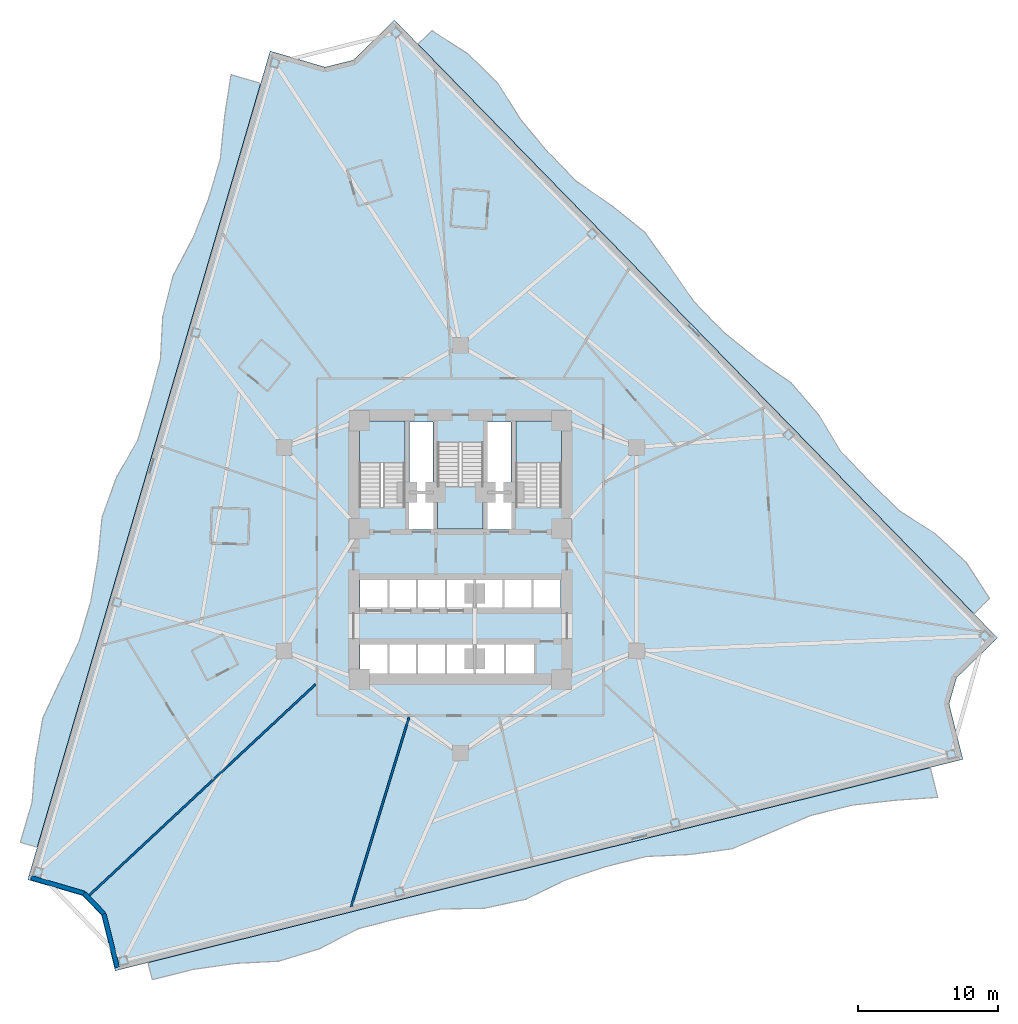
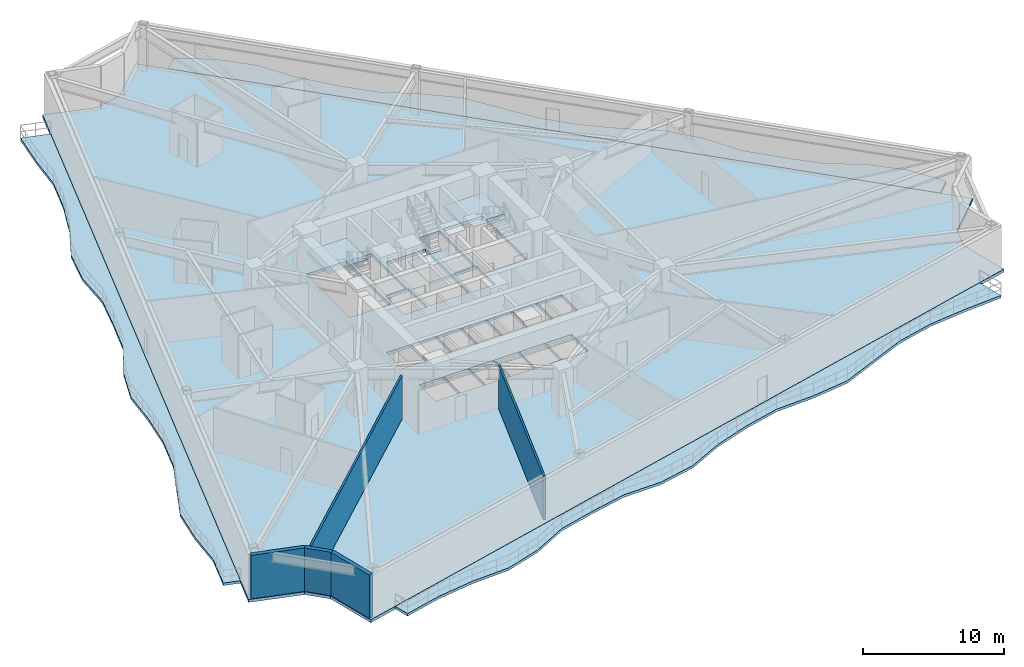
# One storey, part 2 of 10: 7 slabs, 5 walls, 3 elements without a shape of their own.
"""IFC4 building model written with IfcOpenShell, lengths in metres."""

from ifc_helpers import new_model, si_unit, direction, frame, frame_2d, origin, place, context, subcontext, project, spatial, polyline, rectangle, outline, extrude, material, layer, layer_set, type_object, element, aggregate, save


model = new_model("IFC4")

# Units and contexts
model_context = context("Model", 3, precision=1e-05, world=origin(), true_north=direction((0.0, 1.0)))
body_context = subcontext(model_context, "Body", "Model", "MODEL_VIEW")
ifc_project = project(units=[si_unit("LENGTHUNIT", "METRE"), si_unit("AREAUNIT", "SQUARE_METRE"), si_unit("VOLUMEUNIT", "CUBIC_METRE"), si_unit("PLANEANGLEUNIT", "RADIAN"), si_unit("MASSUNIT", "GRAM", prefix="KILO")], contexts=[model_context])

# Site, building, storey
site_placement = place(None, origin())
site = spatial("IfcSite", under=ifc_project, at=site_placement, CompositionType="ELEMENT")
building_placement = place(site_placement, origin())
building = spatial("IfcBuilding", under=site, at=building_placement, Name="Apsidion Concourse Tower", CompositionType="ELEMENT")
storey_placement = place(building_placement, frame((0.0, 0.0, 115.0)))
storey = spatial("IfcBuildingStorey", under=building, at=storey_placement, Name="L26", CompositionType="ELEMENT", Elevation=115.0)

# Slabs
ifc_material_1 = material(Name="Concrete C50/60", Category="concrete")
ifc_layer_1 = layer(ifc_material_1, 0.219970703125)
ifc_layer_set_1 = layer_set([ifc_layer_1], Name="Concrete C50/60")
slab_type_1 = type_object("IfcSlabType", Name="SL-BAL-220", PredefinedType="FLOOR", material=ifc_layer_set_1)
slab_1_placement = place(storey_placement, frame((0.0, 0.0, -0.219970703125)))
element("IfcSlab", 1, at=slab_1_placement, inside=storey, type_object=slab_type_1, Name="L26 Face 1 Rippling Balcony Slab", PredefinedType="FLOOR", context=body_context, shape_type="SweptSolid", body=[
    extrude(outline(polyline([(-14.220458984375, 33.17431640625), (-15.05810546875, 30.311279296875), (-15.8955078125, 27.4482421875), (-16.73291015625, 24.58544921875), (-17.570556640625, 21.722412109375), (-18.407958984375, 18.859619140625), (-19.24560546875, 15.99658203125), (-20.0830078125, 13.133544921875), (-20.920654296875, 10.2705078125), (-21.758056640625, 7.40771484375), (-22.595703125, 4.544677734375), (-23.43310546875, 1.681884765625), (-24.2705078125, -1.18115234375), (-25.108154296875, -4.044189453125), (-25.94580078125, -6.906982421875), (-26.783203125, -9.77001953125), (-27.62060546875, -12.633056640625), (-28.458251953125, -15.495849609375), (-29.295654296875, -18.35888671875), (-30.13330078125, -21.2216796875), (-31.3330078125, -20.870849609375), (-30.49560546875, -18.0078125), (-30.24853515625, -14.97216796875), (-29.728515625, -12.016357421875), (-28.450439453125, -9.2822265625), (-27.1455078125, -6.55615234375), (-26.307861328125, -3.693115234375), (-25.808349609375, -0.731201171875), (-25.51318359375, 2.290283203125), (-24.493896484375, 5.10009765625), (-22.97265625, 7.762939453125), (-22.120361328125, 10.62158203125), (-21.359375, 13.5068359375), (-21.191650390625, 16.56591796875), (-20.463623046875, 19.460693359375), (-19.04150390625, 22.152587890625), (-17.9326171875, 24.936279296875), (-17.09521484375, 27.79931640625), (-16.7880859375, 30.8173828125), (-16.33203125, 33.7919921875), (-14.220458984375, 33.17431640625)])), origin(), (0.0, 0.0, 1.0), 0.219970703125),
])
slab_2_placement = place(storey_placement, frame((0.0, 0.0, -0.219970703125)))
element("IfcSlab", 2, at=slab_2_placement, inside=storey, type_object=slab_type_1, Name="L26 Face 2 Rippling Balcony Slab", PredefinedType="FLOOR", context=body_context, shape_type="SweptSolid", body=[
    extrude(outline(polyline([(-22.24560546875, -29.43359375), (-19.313720703125, -28.702392578125), (-16.3818359375, -27.971435546875), (-13.449951171875, -27.240478515625), (-10.51806640625, -26.509521484375), (-7.586181640625, -25.778564453125), (-4.654296875, -25.047607421875), (-1.722412109375, -24.31640625), (1.209228515625, -23.58544921875), (4.14111328125, -22.8544921875), (7.072998046875, -22.12353515625), (10.0048828125, -21.392578125), (12.936767578125, -20.66162109375), (15.86865234375, -19.9306640625), (18.800537109375, -19.19970703125), (21.732421875, -18.468505859375), (24.664306640625, -17.737548828125), (27.59619140625, -17.006591796875), (30.528076171875, -16.275634765625), (33.4599609375, -15.544677734375), (33.98779296875, -17.66259765625), (30.927001953125, -17.87548828125), (27.898681640625, -18.219482421875), (24.966796875, -18.950439453125), (22.148681640625, -20.137939453125), (19.331787109375, -21.329833984375), (16.319580078125, -21.738525390625), (13.2392578125, -21.87451171875), (10.307373046875, -22.60546875), (7.434814453125, -23.573974609375), (4.656494140625, -24.921142578125), (1.702880859375, -25.564697265625), (-1.39892578125, -25.6142578125), (-4.35205078125, -26.260498046875), (-7.277587890625, -27.0166015625), (-10.035888671875, -28.444091796875), (-12.92822265625, -29.3330078125), (-16.004150390625, -29.486083984375), (-19.01123046875, -29.915283203125), (-21.943115234375, -30.646484375), (-22.24560546875, -29.43359375)])), origin(), (0.0, 0.0, 1.0), 0.219970703125),
])
slab_3_placement = place(storey_placement, frame((0.0, 0.0, -0.219970703125)))
element("IfcSlab", 3, at=slab_3_placement, inside=storey, type_object=slab_type_1, Name="L26 Face 3 Rippling Balcony Slab", PredefinedType="FLOOR", context=body_context, shape_type="SweptSolid", body=[
    extrude(outline(polyline([(36.569091796875, -4.591064453125), (34.485595703125, -2.456298828125), (32.402099609375, -0.32177734375), (30.318603515625, 1.81298828125), (28.23486328125, 3.947509765625), (26.1513671875, 6.082275390625), (24.06787109375, 8.216796875), (21.984130859375, 10.3515625), (19.900634765625, 12.486083984375), (17.817138671875, 14.620849609375), (15.733642578125, 16.75537109375), (13.64990234375, 18.89013671875), (11.56640625, 21.024658203125), (9.48291015625, 23.159423828125), (7.3994140625, 25.2939453125), (5.31591796875, 27.4287109375), (3.232177734375, 29.563232421875), (1.148681640625, 31.697998046875), (-0.934814453125, 33.83251953125), (-3.018310546875, 35.96728515625), (-2.03125, 36.930908203125), (0.540283203125, 35.272705078125), (2.66455078125, 33.177490234375), (4.291748046875, 30.597412109375), (6.210205078125, 28.3017578125), (8.2939453125, 26.1669921875), (10.806884765625, 24.45166015625), (13.139404296875, 22.559814453125), (14.905029296875, 20.114990234375), (16.628173828125, 17.62841796875), (18.711669921875, 15.493896484375), (21.034912109375, 13.593017578125), (23.531005859375, 11.861328125), (25.492431640625, 9.607421875), (27.068359375, 6.977294921875), (29.12939453125, 4.82080078125), (31.25830078125, 2.730224609375), (33.844482421875, 1.086181640625), (36.023193359375, -0.955322265625), (37.67822265625, -3.50830078125), (36.569091796875, -4.591064453125)])), origin(), (0.0, 0.0, 1.0), 0.219970703125),
])
ifc_layer_2 = layer(ifc_material_1, 0.25)
ifc_layer_set_2 = layer_set([ifc_layer_2], Name="Concrete C50/60")
slab_type_2 = type_object("IfcSlabType", Name="SL-FLR-250", PredefinedType="FLOOR", material=ifc_layer_set_2)
slab_4_placement = place(storey_placement, frame((0.0, 0.0, -0.25)))
element("IfcSlab", 4, at=slab_4_placement, inside=storey, type_object=slab_type_2, Name="L26 Structural Floor Slab", PredefinedType="FLOOR", context=body_context, shape_type="SweptSolid", body=[
    extrude(outline(polyline([(-4.69482421875, 37.684814453125), (-7.614013671875, 34.83544921875), (-9.63134765625, 34.33251953125), (-13.546630859375, 35.477783203125), (-30.80712890625, -23.525390625), (-26.891845703125, -24.670654296875), (-25.56103515625, -26.055908203125), (-24.57421875, -30.01416015625), (35.78857421875, -14.964111328125), (34.8017578125, -11.005859375), (35.326416015625, -9.15771484375), (38.24560546875, -6.30859375), (-4.69482421875, 37.684814453125)]), holes=[polyline([(-3.949951171875, 3.0), (-3.949951171875, 9.14990234375), (-7.199951171875, 9.14990234375), (-7.199951171875, 3.0), (-3.949951171875, 3.0)]), polyline([(7.199951171875, 3.0), (7.199951171875, 9.14990234375), (3.949951171875, 9.14990234375), (3.949951171875, 3.0), (7.199951171875, 3.0)]), polyline([(-1.625, 7.60009765625), (-1.625, 1.449951171875), (1.625, 1.449951171875), (1.625, 7.60009765625), (-1.625, 7.60009765625)]), polyline([(-7.14501953125, -4.300048828125), (-5.155029296875, -4.300048828125), (-5.155029296875, -2.050048828125), (-7.14501953125, -2.050048828125), (-7.14501953125, -4.300048828125)]), polyline([(-5.094970703125, -4.300048828125), (-3.10498046875, -4.300048828125), (-3.10498046875, -2.050048828125), (-5.094970703125, -2.050048828125), (-5.094970703125, -4.300048828125)]), polyline([(-3.044921875, -4.300048828125), (-1.054931640625, -4.300048828125), (-1.054931640625, -2.050048828125), (-3.044921875, -2.050048828125), (-3.044921875, -4.300048828125)]), polyline([(-0.9951171875, -4.300048828125), (0.9951171875, -4.300048828125), (0.9951171875, -2.050048828125), (-0.9951171875, -2.050048828125), (-0.9951171875, -4.300048828125)]), polyline([(1.054931640625, -4.300048828125), (3.044921875, -4.300048828125), (3.044921875, -2.050048828125), (1.054931640625, -2.050048828125), (1.054931640625, -4.300048828125)]), polyline([(3.10498046875, -4.300048828125), (5.094970703125, -4.300048828125), (5.094970703125, -2.050048828125), (3.10498046875, -2.050048828125), (3.10498046875, -4.300048828125)]), polyline([(5.155029296875, -4.300048828125), (7.14501953125, -4.300048828125), (7.14501953125, -2.050048828125), (5.155029296875, -2.050048828125), (5.155029296875, -4.300048828125)]), polyline([(-7.14501953125, -8.949951171875), (-5.155029296875, -8.949951171875), (-5.155029296875, -6.64990234375), (-7.14501953125, -6.64990234375), (-7.14501953125, -8.949951171875)]), polyline([(-5.094970703125, -8.949951171875), (-3.10498046875, -8.949951171875), (-3.10498046875, -6.64990234375), (-5.094970703125, -6.64990234375), (-5.094970703125, -8.949951171875)]), polyline([(-3.044921875, -8.949951171875), (-1.054931640625, -8.949951171875), (-1.054931640625, -6.64990234375), (-3.044921875, -6.64990234375), (-3.044921875, -8.949951171875)]), polyline([(-0.9951171875, -8.949951171875), (0.9951171875, -8.949951171875), (0.9951171875, -6.64990234375), (-0.9951171875, -6.64990234375), (-0.9951171875, -8.949951171875)]), polyline([(1.044921875, -9.0), (3.155029296875, -9.0), (3.155029296875, -6.64990234375), (1.044921875, -6.64990234375), (1.044921875, -9.0)]), polyline([(3.195068359375, -9.0), (5.304931640625, -9.0), (5.304931640625, -6.64990234375), (3.195068359375, -6.64990234375), (3.195068359375, -9.0)]), polyline([(-3.7099609375, 1.39990234375), (-1.85009765625, 1.39990234375), (-1.85009765625, 4.0), (-3.7099609375, 4.0), (-3.7099609375, 1.39990234375)]), polyline([(1.85009765625, 1.39990234375), (3.7099609375, 1.39990234375), (3.7099609375, 4.0), (1.85009765625, 4.0), (1.85009765625, 1.39990234375)]), polyline([(-3.6201171875, 4.14990234375), (-1.93994140625, 4.14990234375), (-1.93994140625, 9.050048828125), (-3.6201171875, 9.050048828125), (-3.6201171875, 4.14990234375)]), polyline([(1.93994140625, 4.14990234375), (3.6201171875, 4.14990234375), (3.6201171875, 9.050048828125), (1.93994140625, 9.050048828125), (1.93994140625, 4.14990234375)])]), origin(), (0.0, 0.0, 1.0), 0.25),
])

# Stair, slab
ifc_material_2 = material(Name="Precast concrete C40/50", Category="concrete")
stair_type = type_object("IfcStairType", Name="ST-DL-1550", PredefinedType="HALF_TURN_STAIR", material=ifc_material_2)
stair_1_placement = place(storey_placement, origin())
stair_1 = element("IfcStair", 5, at=stair_1_placement, inside=storey, type_object=stair_type, Name="L26 Protected Core Exit Stair ST1", PredefinedType="HALF_TURN_STAIR")
ifc_layer_3 = layer(ifc_material_1, 0.199951171875)
ifc_layer_set_3 = layer_set([ifc_layer_3], Name="Concrete C50/60")
slab_type_3 = type_object("IfcSlabType", Name="SL-ST-LAND-200", PredefinedType="LANDING", material=ifc_layer_set_3)
slab_5_placement = place(storey_placement, frame((0.0, 0.0, 1.800048828125)))
slab_5 = element("IfcSlab", 6, at=slab_5_placement, type_object=slab_type_3, Name="ST1 landing 1", PredefinedType="LANDING", context=body_context, shape_type="SweptSolid", body=[
    extrude(outline(polyline([(-3.949951171875, 6.135009765625), (-3.949951171875, 9.14990234375), (-7.199951171875, 9.14990234375), (-7.199951171875, 6.135009765625), (-3.949951171875, 6.135009765625)])), origin(), (0.0, 0.0, 1.0), 0.199951171875),
])
aggregate(stair_1, [slab_5])

stair_2_placement = place(storey_placement, origin())
stair_2 = element("IfcStair", 7, at=stair_2_placement, inside=storey, type_object=stair_type, Name="L26 Protected Core Exit Stair ST2", PredefinedType="HALF_TURN_STAIR")
slab_6_placement = place(storey_placement, frame((0.0, 0.0, 1.800048828125)))
slab_6 = element("IfcSlab", 8, at=slab_6_placement, type_object=slab_type_3, Name="ST2 landing 1", PredefinedType="LANDING", context=body_context, shape_type="SweptSolid", body=[
    extrude(outline(polyline([(7.199951171875, 6.135009765625), (7.199951171875, 9.14990234375), (3.949951171875, 9.14990234375), (3.949951171875, 6.135009765625), (7.199951171875, 6.135009765625)])), origin(), (0.0, 0.0, 1.0), 0.199951171875),
])
aggregate(stair_2, [slab_6])

stair_3_placement = place(storey_placement, origin())
stair_3 = element("IfcStair", 9, at=stair_3_placement, inside=storey, type_object=stair_type, Name="L26 Protected Core Exit Stair ST3", PredefinedType="HALF_TURN_STAIR")
slab_7_placement = place(storey_placement, frame((0.0, 0.0, 1.800048828125)))
slab_7 = element("IfcSlab", 10, at=slab_7_placement, type_object=slab_type_3, Name="ST3 landing 1", PredefinedType="LANDING", context=body_context, shape_type="SweptSolid", body=[
    extrude(outline(polyline([(-1.625, 4.465087890625), (-1.625, 1.449951171875), (1.625, 1.449951171875), (1.625, 4.465087890625), (-1.625, 4.465087890625)])), origin(), (0.0, 0.0, 1.0), 0.199951171875),
])
aggregate(stair_3, [slab_7])

# Walls
ifc_layer_4 = layer(ifc_material_2, 0.320068359375)
ifc_layer_set_4 = layer_set([ifc_layer_4], Name="Precast concrete C40/50")
wall_type_1 = type_object("IfcWallType", Name="WL-EXT-320", PredefinedType="STANDARD", material=ifc_layer_set_4)
wall_1_placement = place(storey_placement, frame((-24.4287109375, -29.771728515625, 0.0), z_axis=(0.0, 0.0, 1.0), x_axis=(-0.241863642263, 0.970310248607, 0.0)))
element("IfcWall", 11, at=wall_1_placement, inside=storey, type_object=wall_type_1, Name="L26 Precast Stone Facade Wall 06", PredefinedType="STANDARD", context=body_context, shape_type="SweptSolid", body=[
    extrude(rectangle(XDim=3.9326171875, YDim=0.320068359375, at=frame_2d((1.96630859375, 0.0))), origin(), (0.0, 0.0, 1.0), 3.75),
])
wall_2_placement = place(storey_placement, frame((-25.3798828125, -25.955810546875, 0.0), z_axis=(0.0, 0.0, 1.0), x_axis=(-0.69281750058, 0.721112966802, 0.0)))
element("IfcWall", 12, at=wall_2_placement, inside=storey, type_object=wall_type_1, Name="L26 Precast Stone Facade Wall 07", PredefinedType="STANDARD", context=body_context, shape_type="SweptSolid", body=[
    extrude(rectangle(XDim=2.027587890625, YDim=0.320068359375, at=frame_2d((1.013671875, 0.0))), origin(), (0.0, 0.0, 1.0), 3.75),
])
wall_3_placement = place(storey_placement, frame((-26.78466796875, -24.49365234375, 0.0), z_axis=(0.0, 0.0, 1.0), x_axis=(-0.959768832583, 0.28079136027, 0.0)))
element("IfcWall", 13, at=wall_3_placement, inside=storey, type_object=wall_type_1, Name="L26 Precast Stone Facade Wall 08", PredefinedType="STANDARD", context=body_context, shape_type="SweptSolid", body=[
    extrude(rectangle(XDim=3.9326171875, YDim=0.320068359375, at=frame_2d((1.96630859375, 0.0))), origin(), (0.0, 0.0, 1.0), 3.75),
])
ifc_material_3 = material(Name="Gypsum plasterboard partition")
ifc_layer_5 = layer(ifc_material_3, 0.14990234375)
ifc_layer_set_5 = layer_set([ifc_layer_5], Name="Gypsum plasterboard partition")
wall_type_2 = type_object("IfcWallType", Name="WL-INT-PAR-150", PredefinedType="PARTITIONING", material=ifc_layer_set_5)
wall_4_placement = place(storey_placement, frame((-10.304931640625, -9.609619140625, 0.0), z_axis=(0.0, 0.0, 1.0), x_axis=(-0.731358223389, -0.681993511026, 0.0)))
element("IfcWall", 14, at=wall_4_placement, inside=storey, type_object=wall_type_2, Name="L26 Interior Partition WL-L26-RAD-07-1", PredefinedType="PARTITIONING", context=body_context, shape_type="SweptSolid", body=[
    extrude(rectangle(XDim=22.02294921875, YDim=0.14990234375, at=frame_2d((11.011474609375, 0.0))), origin(), (0.0, 0.0, 1.0), 3.75),
])
wall_5_placement = place(storey_placement, frame((-3.655029296875, -11.955078125, 0.0), z_axis=(0.0, 0.0, 1.0), x_axis=(-0.292365011215, -0.956306802348, 0.0)))
element("IfcWall", 15, at=wall_5_placement, inside=storey, type_object=wall_type_2, Name="L26 Interior Partition WL-L26-RAD-08-1", PredefinedType="PARTITIONING", context=body_context, shape_type="SweptSolid", body=[
    extrude(rectangle(XDim=14.100830078125, YDim=0.14990234375, at=frame_2d((7.05029296875, 0.0))), origin(), (0.0, 0.0, 1.0), 3.75),
])

save(model, "model.ifc")
